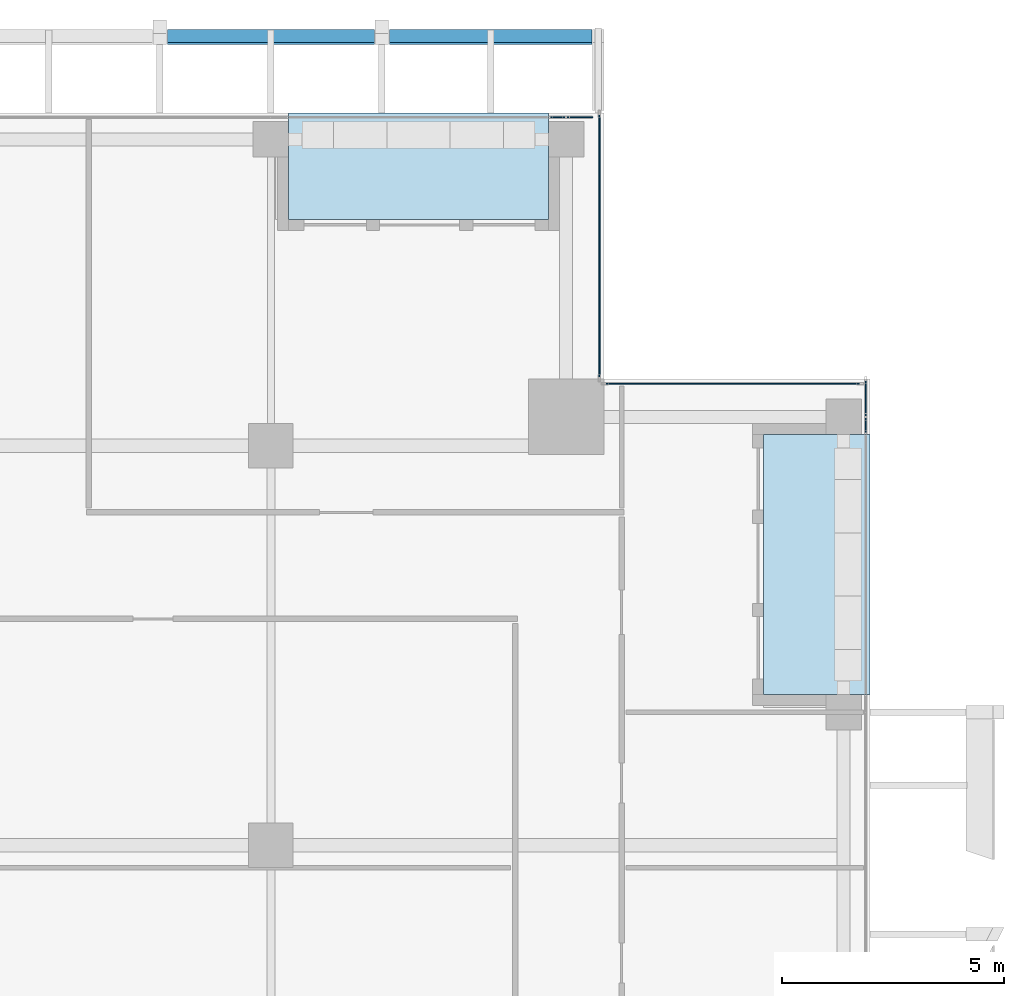
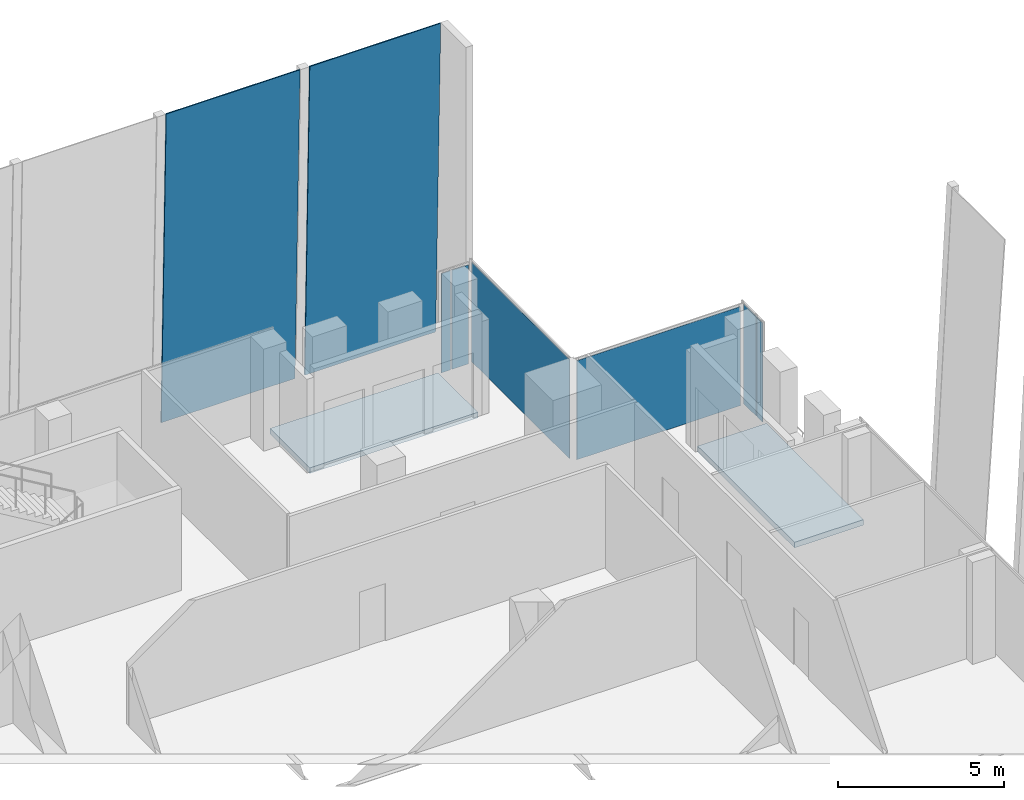
# One storey, part 25 of 32: 8 plates, 2 slabs, 4 elements without a shape of their own.
"""IFC4 building model written with IfcOpenShell, lengths in metres."""

from ifc_helpers import new_model, si_unit, direction, frame, origin, origin_2d, place, context, subcontext, project, spatial, polyline, rectangle, outline, extrude, source, transform, mapped, material, layer, layer_set, type_object, element, aggregate, save


model = new_model("IFC4")

# Units and contexts
model_context = context("Model", 3, precision=1e-05, world=origin(), true_north=direction((0.0, 1.0)))
body_context = subcontext(model_context, "Body", "Model", "MODEL_VIEW")
ifc_project = project(units=[si_unit("LENGTHUNIT", "METRE"), si_unit("AREAUNIT", "SQUARE_METRE"), si_unit("VOLUMEUNIT", "CUBIC_METRE"), si_unit("PLANEANGLEUNIT", "RADIAN"), si_unit("MASSUNIT", "GRAM", prefix="KILO")], contexts=[model_context])

# Site, building, storey
site_placement = place(None, origin())
site = spatial("IfcSite", under=ifc_project, at=site_placement, CompositionType="ELEMENT")
building_placement = place(site_placement, origin())
building = spatial("IfcBuilding", under=site, at=building_placement, Name="Khomas Fold Tower", CompositionType="ELEMENT")
storey_placement = place(building_placement, frame((0.0, 0.0, 306.199951171875)))
storey = spatial("IfcBuildingStorey", under=building, at=storey_placement, Name="L69", CompositionType="ELEMENT", Elevation=306.199951171875)

# Plates
ifc_material_1 = material(Name="Clear laminated glass", Category="glass")
ifc_layer_1 = layer(ifc_material_1, 0.0400390625)
ifc_layer_set_1 = layer_set([ifc_layer_1], Name="Clear laminated glass")
plate_type_1 = type_object("IfcPlateType", Name="SK-Clear laminated glass leaf", PredefinedType="SHEET", material=ifc_layer_set_1)
plate_1_placement = place(storey_placement, frame((32.169921875, 49.879638671875, 0.0009765625), z_axis=(0.0, 0.999657783631, 0.026159427089), x_axis=(1.0, 0.0, 0.0)))
element("IfcPlate", 1, at=plate_1_placement, inside=storey, type_object=plate_type_1, Name="OUTER SKIN glass L69 N9", PredefinedType="SHEET", context=body_context, shape_type="SweptSolid", body=[
    extrude(outline(polyline([(0.0, 0.0), (4.66015625, 0.0), (4.66015625, -11.554002797007573), (0.0, -11.554002797007573), (0.0, 0.0)])), origin(), (0.0, 0.0, -1.0), 0.0400390625),
])
plate_2_placement = place(storey_placement, frame((37.169921875, 49.879638671875, 0.0009765625), z_axis=(0.0, 0.999657783631, 0.026159427089), x_axis=(1.0, 0.0, 0.0)))
element("IfcPlate", 2, at=plate_2_placement, inside=storey, type_object=plate_type_1, Name="OUTER SKIN glass L69 N11", PredefinedType="SHEET", context=body_context, shape_type="SweptSolid", body=[
    extrude(outline(polyline([(0.0, 0.0), (4.56005859375, 0.0), (4.56005859375, -11.554002797007572), (0.0, -11.554002797007572), (0.0, 0.0)])), origin(), (0.0, 0.0, -1.0), 0.0400390625),
])

# Curtain wall, plate
ifc_material_2 = material(Name="Aluminium framed double glazing", Category="aluminium")
curtain_wall_type = type_object("IfcCurtainWallType", Name="SK-Unitised clear-glass wall, upper floors CW3", PredefinedType="NOTDEFINED", material=ifc_material_2)
curtain_wall_1_placement = place(storey_placement, origin())
curtain_wall_1 = element("IfcCurtainWall", 3, at=curtain_wall_1_placement, inside=storey, type_object=curtain_wall_type, Name="CW3 run L69 06-0", PredefinedType="NOTDEFINED")
ifc_material_3 = material(Name="Clear double glazed unit")
ifc_layer_2 = layer(ifc_material_3, 0.028076171875)
ifc_layer_set_2 = layer_set([ifc_layer_2], Name="Clear double glazed unit")
plate_type_2 = type_object("IfcPlateType", Name="SK-Unitised clear-glass wall, upper floors glass panel CW3-P", PredefinedType="CURTAIN_PANEL", material=ifc_layer_set_2)
shared_shape_1 = source(origin(), body_context, "Body", "SweptSolid", [
    extrude(rectangle(XDim=0.574951171875, YDim=0.028076171875, at=origin_2d()), origin(), (0.0, 0.0, 1.0), 3.64990234375),
])
plate_3_placement = place(storey_placement, frame((41.46240234375, 47.89990234375, 0.0), z_axis=(0.0, 0.0, 1.0), x_axis=(-1.0, 0.0, 0.0)))
plate_3 = element("IfcPlate", 4, at=plate_3_placement, type_object=plate_type_2, Name="CW3 glass panel 1", PredefinedType="CURTAIN_PANEL", context=body_context, shape_type="MappedRepresentation", body=[
    mapped(shared_shape_1, transform((0.0, 0.0, 0.0))),
])

curtain_wall_2_placement = place(storey_placement, origin())
curtain_wall_2 = element("IfcCurtainWall", 5, at=curtain_wall_2_placement, inside=storey, type_object=curtain_wall_type, Name="CW3 run L69 03-1", PredefinedType="NOTDEFINED")
shared_shape_2 = source(origin(), body_context, "Body", "SweptSolid", [
    extrude(rectangle(XDim=0.77490234375, YDim=0.028076171875, at=origin_2d()), origin(), (0.0, 0.0, 1.0), 3.64990234375),
])
plate_4_placement = place(storey_placement, frame((47.89990234375, 41.5625, 0.0), z_axis=(0.0, 0.0, 1.0), x_axis=(0.0, 1.0, 0.0)))
plate_4 = element("IfcPlate", 6, at=plate_4_placement, type_object=plate_type_2, Name="CW3 glass panel 2", PredefinedType="CURTAIN_PANEL", context=body_context, shape_type="MappedRepresentation", body=[
    mapped(shared_shape_2, transform((0.0, 0.0, 0.0))),
])

curtain_wall_3_placement = place(storey_placement, origin())
curtain_wall_3 = element("IfcCurtainWall", 7, at=curtain_wall_3_placement, inside=storey, type_object=curtain_wall_type, Name="CW3 corner return L69 04", PredefinedType="NOTDEFINED")
shared_shape_3 = source(origin(), body_context, "Body", "SweptSolid", [
    extrude(rectangle(XDim=5.699951171875, YDim=0.028076171875, at=origin_2d()), origin(), (0.0, 0.0, 1.0), 3.64990234375),
])
plate_5_placement = place(storey_placement, frame((44.89990234375, 41.89990234375, 0.0), z_axis=(0.0, 0.0, 1.0), x_axis=(-1.0, 0.0, 0.0)))
plate_5 = element("IfcPlate", 8, at=plate_5_placement, type_object=plate_type_2, Name="CW3 glass panel 1", PredefinedType="CURTAIN_PANEL", context=body_context, shape_type="MappedRepresentation", body=[
    mapped(shared_shape_3, transform((0.0, 0.0, 0.0))),
])
aggregate(curtain_wall_3, [plate_5])

curtain_wall_4_placement = place(storey_placement, origin())
curtain_wall_4 = element("IfcCurtainWall", 9, at=curtain_wall_4_placement, inside=storey, type_object=curtain_wall_type, Name="CW3 corner return L69 05", PredefinedType="NOTDEFINED")
shared_shape_4 = source(origin(), body_context, "Body", "SweptSolid", [
    extrude(rectangle(XDim=5.89990234375, YDim=0.028076171875, at=origin_2d()), origin(), (0.0, 0.0, 1.0), 3.64990234375),
])
plate_6_placement = place(storey_placement, frame((41.89990234375, 45.0, 0.0), z_axis=(0.0, 0.0, 1.0), x_axis=(0.0, 1.0, 0.0)))
plate_6 = element("IfcPlate", 10, at=plate_6_placement, type_object=plate_type_2, Name="CW3 glass panel 1", PredefinedType="CURTAIN_PANEL", context=body_context, shape_type="MappedRepresentation", body=[
    mapped(shared_shape_4, transform((0.0, 0.0, 0.0))),
])
aggregate(curtain_wall_4, [plate_6])

# Plate
shared_shape_5 = source(origin(), body_context, "Body", "SweptSolid", [
    extrude(rectangle(XDim=0.324951171875, YDim=0.028076171875, at=origin_2d()), origin(), (0.0, 0.0, 1.0), 3.64990234375),
])
plate_7_placement = place(storey_placement, frame((47.89990234375, 40.96240234375, 0.0), z_axis=(0.0, 0.0, 1.0), x_axis=(0.0, 1.0, 0.0)))
plate_7 = element("IfcPlate", 11, at=plate_7_placement, type_object=plate_type_2, Name="CW3 glass panel 1", PredefinedType="CURTAIN_PANEL", context=body_context, shape_type="MappedRepresentation", body=[
    mapped(shared_shape_5, transform((0.0, 0.0, 0.0))),
])

aggregate(curtain_wall_2, [plate_7, plate_4])

plate_8_placement = place(storey_placement, frame((40.96240234375, 47.89990234375, 0.0), z_axis=(0.0, 0.0, 1.0), x_axis=(-1.0, 0.0, 0.0)))
plate_8 = element("IfcPlate", 12, at=plate_8_placement, type_object=plate_type_2, Name="CW3 glass panel 2", PredefinedType="CURTAIN_PANEL", context=body_context, shape_type="MappedRepresentation", body=[
    mapped(shared_shape_5, transform((0.0, 0.0, 0.0))),
])

aggregate(curtain_wall_1, [plate_3, plate_8])

# Slabs
ifc_material_4 = material(Name="Concrete C40/50", Category="concrete")
ifc_layer_3 = layer(ifc_material_4, 0.205078125)
ifc_layer_set_3 = layer_set([ifc_layer_3], Name="Concrete C40/50")
slab_type = type_object("IfcSlabType", Name="BL-Balcony deck 205", PredefinedType="FLOOR", material=ifc_layer_set_3)
shared_shape_6 = source(origin(), body_context, "Body", "SweptSolid", [
    extrude(outline(polyline([(34.89990234375, 45.60009765625), (40.75, 45.60009765625), (40.75, 48.0), (34.89990234375, 48.0), (34.89990234375, 45.60009765625)])), origin(), (0.0, 0.0, 1.0), 0.205078125),
])
slab_1_placement = place(storey_placement, frame((0.0, 0.0, -0.25)))
element("IfcSlab", 13, at=slab_1_placement, inside=storey, type_object=slab_type, Name="Balcony deck BAL-L69-N4", PredefinedType="FLOOR", context=body_context, shape_type="MappedRepresentation", body=[
    mapped(shared_shape_6, transform((0.0, 0.0, 0.0))),
])
shared_shape_7 = source(origin(), body_context, "Body", "SweptSolid", [
    extrude(outline(polyline([(45.60009765625, 34.89990234375), (48.0, 34.89990234375), (48.0, 40.75), (45.60009765625, 40.75), (45.60009765625, 34.89990234375)])), origin(), (0.0, 0.0, 1.0), 0.205078125),
])
slab_2_placement = place(storey_placement, frame((0.0, 0.0, -0.25)))
element("IfcSlab", 14, at=slab_2_placement, inside=storey, type_object=slab_type, Name="Balcony deck BAL-L69-E4", PredefinedType="FLOOR", context=body_context, shape_type="MappedRepresentation", body=[
    mapped(shared_shape_7, transform((0.0, 0.0, 0.0))),
])

save(model, "model.ifc")
